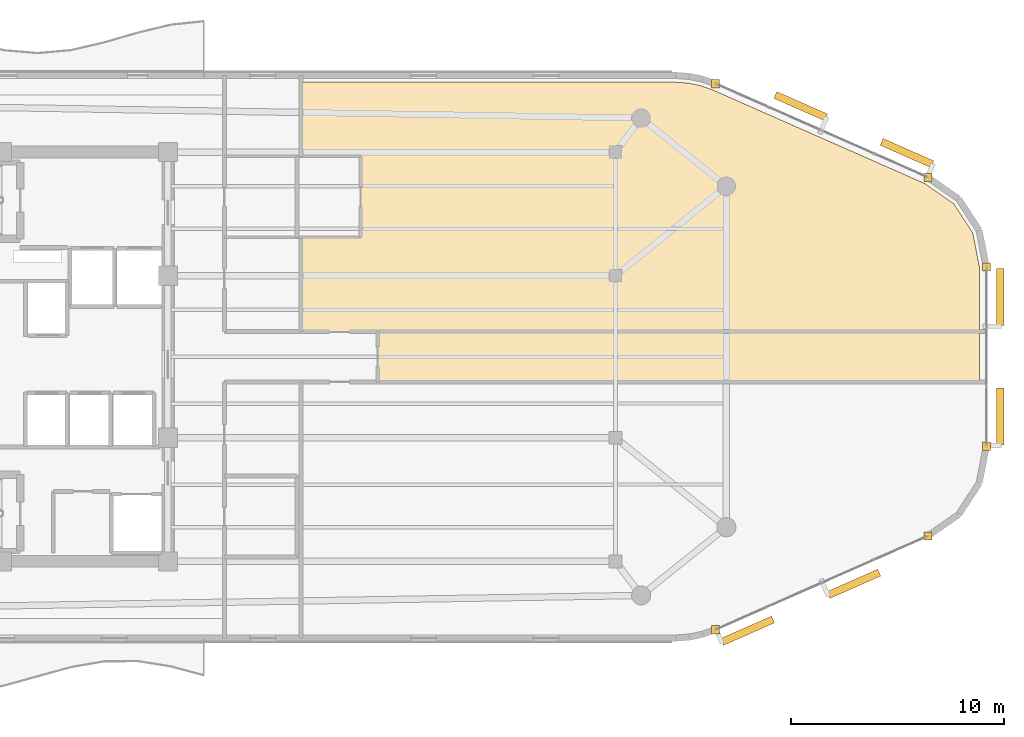
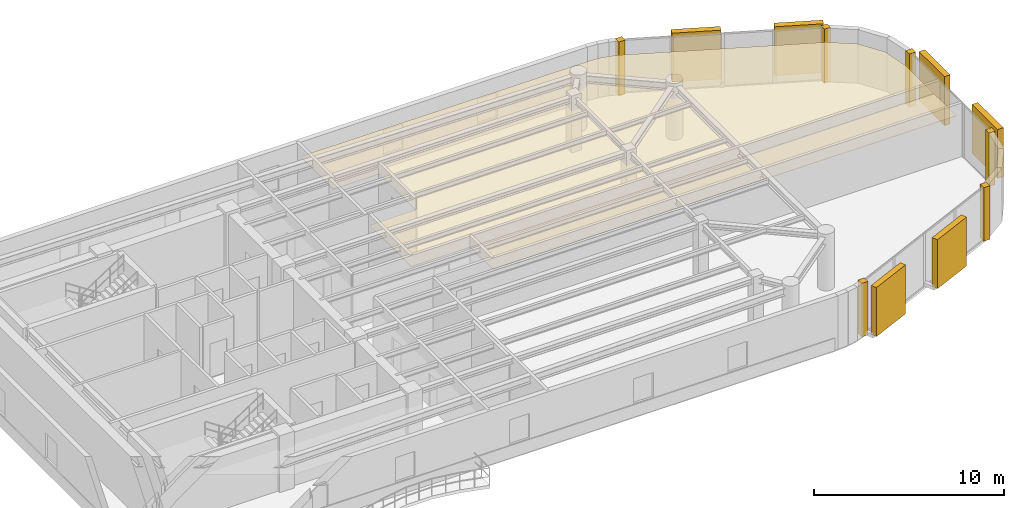
# One storey, part 12 of 12: 8 coverings, 6 shading devices.
"""IFC4 building model written with IfcOpenShell, lengths in metres."""

from ifc_helpers import new_model, si_unit, direction, frame, origin, origin_2d, place, context, subcontext, project, spatial, polyline, rectangle, outline, extrude, material, layer, layer_set, type_object, element, save


model = new_model("IFC4")

# Units and contexts
model_context = context("Model", 3, precision=1e-05, world=origin(), true_north=direction((0.0, 1.0)))
body_context = subcontext(model_context, "Body", "Model", "MODEL_VIEW")
ifc_project = project(units=[si_unit("LENGTHUNIT", "METRE"), si_unit("AREAUNIT", "SQUARE_METRE"), si_unit("VOLUMEUNIT", "CUBIC_METRE"), si_unit("PLANEANGLEUNIT", "RADIAN"), si_unit("MASSUNIT", "GRAM", prefix="KILO")], contexts=[model_context])

# Site, building, storey
site_placement = place(None, origin())
site = spatial("IfcSite", under=ifc_project, at=site_placement, CompositionType="ELEMENT")
building_placement = place(site_placement, origin())
building = spatial("IfcBuilding", under=site, at=building_placement, Name="An Khanh Terracotta Commons", CompositionType="ELEMENT")
storey_placement = place(building_placement, frame((0.0, 0.0, 273.39990234375)))
storey = spatial("IfcBuildingStorey", under=building, at=storey_placement, Name="L71", CompositionType="ELEMENT", Elevation=273.39990234375)

# Coverings
ifc_material_1 = material(Name="Perforated Mineral-Fibre Acoustic Tile")
ifc_layer_1 = layer(ifc_material_1, 0.02001953125, Name="Perforated Mineral-Fibre Acoustic Tile")
ifc_layer_set_1 = layer_set([ifc_layer_1], Name="Perforated Mineral-Fibre Acoustic Tile")
covering_type_1 = type_object("IfcCoveringType", Name="CEIL-ACOUSTIC-18", PredefinedType="CEILING", material=ifc_layer_set_1)
covering_1_placement = place(storey_placement, frame((0.0, 0.0, 2.650146484375)))
element("IfcCovering", 1, at=covering_1_placement, inside=storey, type_object=covering_type_1, Name="L71 Collaborative Study Lounge Ceiling", PredefinedType="CEILING", context=body_context, shape_type="SweptSolid", body=[
    extrude(outline(polyline([(61.01904296875, 36.8798828125), (61.62109375, 36.837890625), (62.199951171875, 36.716064453125), (62.76806640625, 36.511962890625), (72.699951171875, 32.1298828125), (74.068115234375, 31.177978515625), (74.9609375, 29.80810546875), (75.280029296875, 28.1708984375), (75.280029296875, 25.179931640625), (47.050048828125, 25.179931640625), (43.449951171875, 25.179931640625), (43.449951171875, 29.60009765625), (46.25, 29.60009765625), (46.25, 33.39990234375), (43.449951171875, 33.39990234375), (43.449951171875, 36.8798828125), (61.01904296875, 36.8798828125)])), origin(), (0.0, 0.0, 1.0), 0.02001953125),
])
covering_2_placement = place(storey_placement, frame((0.0, 0.0, 2.650146484375)))
element("IfcCovering", 2, at=covering_2_placement, inside=storey, type_object=covering_type_1, Name="L71 Academic Seminar Room Ceiling", PredefinedType="CEILING", context=body_context, shape_type="SweptSolid", body=[
    extrude(outline(polyline([(75.280029296875, 22.820068359375), (47.050048828125, 22.820068359375), (47.050048828125, 25.179931640625), (75.280029296875, 25.179931640625), (75.280029296875, 22.820068359375)])), origin(), (0.0, 0.0, 1.0), 0.02001953125),
])
ifc_material_2 = material(Name="Fired Terracotta Rainscreen Cladding", Category="masonry")
ifc_layer_2 = layer(ifc_material_2, 0.080078125, Name="Fired Terracotta Rainscreen Cladding")
ifc_layer_set_2 = layer_set([ifc_layer_2], Name="Fired Terracotta Rainscreen Cladding")
covering_type_2 = type_object("IfcCoveringType", Name="COV-JAMB-TERRA", PredefinedType="CLADDING", material=ifc_layer_set_2)
for number, where, z_axis, x_axis, name in (
    (3, (62.886962890625, 11.19091796875, 0.0), (0.0, 0.0, 1.0), (1.0, 0.0, 0.0), "L71 CW-03 Curtain-Wall Jamb Closure JA"),
    (4, (72.85693359375, 15.590087890625, 0.0), (0.0, 0.0, 1.0), (1.0, 0.0, 0.0), "L71 CW-03 Curtain-Wall Jamb Closure JB"),
    (5, (75.60009765625, 19.798095703125, 0.0), (0.0, 0.0, 1.0), (1.0, 0.0, 0.0), "L71 CW-03 Curtain-Wall Jamb Closure JA"),
    (6, (75.60009765625, 28.201904296875, 0.0), (0.0, 0.0, 1.0), (1.0, 0.0, 0.0), "L71 CW-03 Curtain-Wall Jamb Closure JB"),
    (7, (72.85693359375, 32.409912109375, 0.0), (0.0, 0.0, 1.0), (1.0, 0.0, 0.0), "L71 CW-03 Curtain-Wall Jamb Closure JA"),
    (8, (62.886962890625, 36.80908203125, 0.0), (0.0, 0.0, 1.0), (1.0, 0.0, 0.0), "L71 CW-03 Curtain-Wall Jamb Closure JB"),
):
    element("IfcCovering", number, at=place(storey_placement, frame(where, z_axis=z_axis, x_axis=x_axis)), inside=storey, type_object=covering_type_2, Name=name, PredefinedType="CLADDING", context=body_context, shape_type="SweptSolid", body=[
        extrude(rectangle(XDim=0.3798828125, YDim=0.3798828125, at=origin_2d()), origin(), (0.0, 0.0, 1.0), 3.449951171875),
    ])

# Shading devices
ifc_material_3 = material(Name="Extruded Fired Terracotta", Category="masonry")
shading_device_type = type_object("IfcShadingDeviceType", Name="Terracotta Baguette Screen Assembly", PredefinedType="USERDEFINED", material=ifc_material_3)
for number, where, z_axis, x_axis, name in (
    (9, (64.39599609375, 11.14599609375, 0.150146484375), (0.0, 0.0, 1.0), (0.914901853201, 0.403676354285, 0.0), "L71 Terracotta Baguette Screen 1"),
    (10, (69.381103515625, 13.345947265625, 0.150146484375), (0.0, 0.0, 1.0), (0.914901853201, 0.403676354285, 0.0), "L71 Terracotta Baguette Screen 3"),
):
    element("IfcShadingDevice", number, at=place(storey_placement, frame(where, z_axis=z_axis, x_axis=x_axis)), inside=storey, type_object=shading_device_type, Name=name, ObjectType="BAGUETTE", PredefinedType="USERDEFINED", context=body_context, shape_type="SweptSolid", body=[
        extrude(rectangle(XDim=2.60400390625, YDim=0.35009765625, at=origin_2d()), origin(), (0.0, 0.0, 1.0), 3.14990234375),
    ])
for number, where, z_axis, x_axis, name in (
    (11, (76.25, 21.198974609375, 0.150146484375), (0.0, 0.0, 1.0), (0.0, 1.0, 0.0), "L71 Terracotta Baguette Screen 1"),
    (12, (76.25, 26.801025390625, 0.150146484375), (0.0, 0.0, 1.0), (0.0, 1.0, 0.0), "L71 Terracotta Baguette Screen 3"),
):
    element("IfcShadingDevice", number, at=place(storey_placement, frame(where, z_axis=z_axis, x_axis=x_axis)), inside=storey, type_object=shading_device_type, Name=name, ObjectType="BAGUETTE", PredefinedType="USERDEFINED", context=body_context, shape_type="SweptSolid", body=[
        extrude(rectangle(XDim=2.680908203125, YDim=0.35009765625, at=origin_2d()), origin(), (0.0, 0.0, 1.0), 3.14990234375),
    ])
for number, where, z_axis, x_axis, name in (
    (13, (71.873046875, 33.554931640625, 0.150146484375), (0.0, 0.0, 1.0), (-0.914901853201, 0.403676354285, 0.0), "L71 Terracotta Baguette Screen 1"),
    (14, (66.887939453125, 35.75390625, 0.150146484375), (0.0, 0.0, 1.0), (-0.914901853201, 0.403676354285, 0.0), "L71 Terracotta Baguette Screen 3"),
):
    element("IfcShadingDevice", number, at=place(storey_placement, frame(where, z_axis=z_axis, x_axis=x_axis)), inside=storey, type_object=shading_device_type, Name=name, ObjectType="BAGUETTE", PredefinedType="USERDEFINED", context=body_context, shape_type="SweptSolid", body=[
        extrude(rectangle(XDim=2.60400390625, YDim=0.35009765625, at=origin_2d()), origin(), (0.0, 0.0, 1.0), 3.14990234375),
    ])

save(model, "model.ifc")
